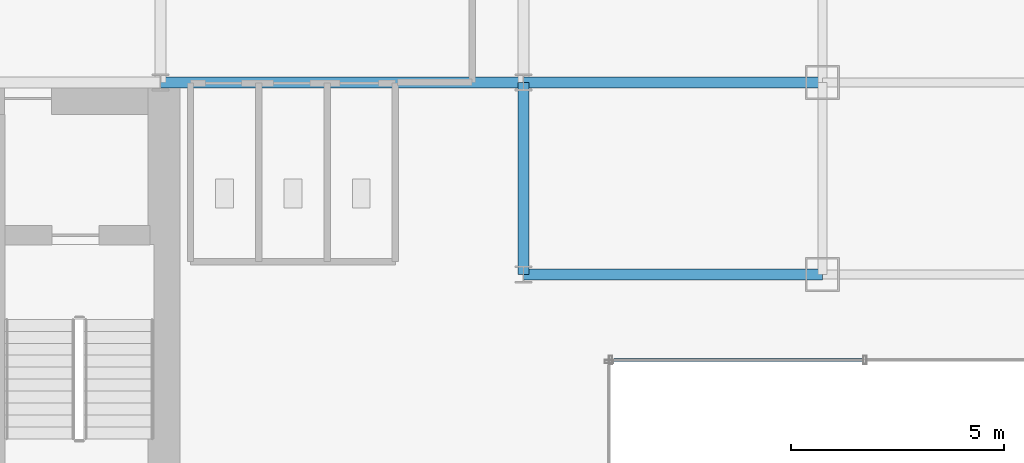
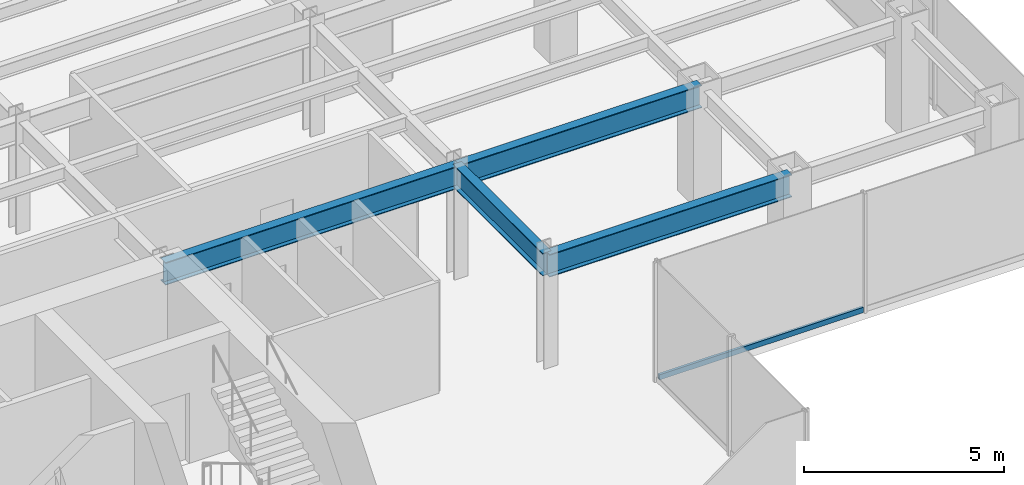
# One storey, part 9 of 26: 4 beams, 1 member, 1 element without a shape of its own.
"""IFC4 building model written with IfcOpenShell, lengths in metres."""

from ifc_helpers import new_model, si_unit, derived_unit, direction, frame, origin, origin_2d, place, context, subcontext, project, spatial, hollow_rectangle, i_section, extrude, source, transform, mapped, material, material_profile, profile_set, type_object, element, aggregate, save


model = new_model("IFC4")

# Units and contexts
model_context = context("Model", 3, precision=1e-05, world=origin(), true_north=direction((0.0, 1.0)))
body_context = subcontext(model_context, "Body", "Model", "MODEL_VIEW")
ifc_project = project(units=[si_unit("LENGTHUNIT", "METRE"), si_unit("AREAUNIT", "SQUARE_METRE"), si_unit("VOLUMEUNIT", "CUBIC_METRE"), si_unit("PLANEANGLEUNIT", "RADIAN"), si_unit("MASSUNIT", "GRAM", prefix="KILO"), derived_unit("THERMALTRANSMITTANCEUNIT", [(si_unit("POWERUNIT", "WATT"), 1), (si_unit("LENGTHUNIT", "METRE"), -2), (si_unit("THERMODYNAMICTEMPERATUREUNIT", "KELVIN"), -1)])], contexts=[model_context])

# Site, building, storey
site_placement = place(None, origin())
site = spatial("IfcSite", under=ifc_project, at=site_placement, CompositionType="ELEMENT")
building_placement = place(site_placement, origin())
building = spatial("IfcBuilding", under=site, at=building_placement, Name="Skarnbrae Concourse Arena and Tower", CompositionType="ELEMENT")
storey_placement = place(building_placement, frame((0.0, 0.0, 95.949951171875)))
storey = spatial("IfcBuildingStorey", under=building, at=storey_placement, Name="L23", CompositionType="ELEMENT", Elevation=95.949951171875)

# Beams
ifc_material_1 = material(Name="Steel CSA G40.21 350W", Category="steel")
ifc_material_profile_1 = material_profile(ifc_material_1, i_section(OverallWidth=0.256103515625, OverallDepth=0.693115234375, WebThickness=0.014404296875, FlangeThickness=0.023681640625, at=origin_2d()), Name="W690X170")
ifc_profile_set_1 = profile_set([ifc_material_profile_1], Name="Steel CSA G40.21 350W")
beam_type = type_object("IfcBeamType", Name="BM-GIRD-W690X170", PredefinedType="BEAM", material=ifc_profile_set_1)
shared_shape_1 = source(origin(), body_context, "Body", "SweptSolid", [
    extrude(i_section(OverallWidth=0.256103515625, OverallDepth=0.693115234375, WebThickness=0.014404296875, FlangeThickness=0.023681640625, at=origin_2d()), origin(), (0.0, 0.0, 1.0), 7.0),
])
for number, where, z_axis, x_axis, name in (
    (1, (42.0, 9.5, 3.053466796875), (1.0, 0.0, 0.0), (0.0, 1.0, 0.0), "L23 Primary E-W girder Y9.5-2"),
    (2, (42.0, 14.0, 3.053466796875), (1.0, 0.0, 0.0), (0.0, 1.0, 0.0), "L23 Primary E-W girder Y14.0-7"),
):
    element("IfcBeam", number, at=place(storey_placement, frame(where, z_axis=z_axis, x_axis=x_axis)), inside=storey, type_object=beam_type, Name=name, PredefinedType="BEAM", context=body_context, shape_type="MappedRepresentation", body=[
        mapped(shared_shape_1, transform((0.0, 0.0, 0.0))),
    ])
shared_shape_2 = source(origin(), body_context, "Body", "SweptSolid", [
    extrude(i_section(OverallWidth=0.256103515625, OverallDepth=0.693115234375, WebThickness=0.014404296875, FlangeThickness=0.023681640625, at=origin_2d()), origin(), (0.0, 0.0, 1.0), 8.5),
])
beam_1_placement = place(storey_placement, frame((33.5, 14.0, 3.053466796875), z_axis=(1.0, 0.0, 0.0), x_axis=(0.0, 1.0, 0.0)))
element("IfcBeam", 3, at=beam_1_placement, inside=storey, type_object=beam_type, Name="L23 Primary E-W girder Y14.0-6", PredefinedType="BEAM", context=body_context, shape_type="MappedRepresentation", body=[
    mapped(shared_shape_2, transform((0.0, 0.0, 0.0))),
])
shared_shape_3 = source(origin(), body_context, "Body", "SweptSolid", [
    extrude(i_section(OverallWidth=0.256103515625, OverallDepth=0.693115234375, WebThickness=0.014404296875, FlangeThickness=0.023681640625, at=origin_2d()), origin(), (0.0, 0.0, 1.0), 4.5),
])
beam_2_placement = place(storey_placement, frame((42.0, 9.5, 3.053466796875), z_axis=(0.0, 1.0, 0.0), x_axis=(-1.0, 0.0, 0.0)))
element("IfcBeam", 4, at=beam_2_placement, inside=storey, type_object=beam_type, Name="L23 Primary N-S girder X42.0-1", PredefinedType="BEAM", context=body_context, shape_type="MappedRepresentation", body=[
    mapped(shared_shape_3, transform((0.0, 0.0, 0.0))),
])

# Curtain wall, member
ifc_material_2 = material(Name="Bronze anodised aluminium 6063-T6", Category="aluminium")
curtain_wall_type = type_object("IfcCurtainWallType", Name="CW-SYS-04-MIDZONE", PredefinedType="USERDEFINED", material=ifc_material_2)
curtain_wall_placement = place(storey_placement, origin())
curtain_wall = element("IfcCurtainWall", 5, at=curtain_wall_placement, inside=storey, type_object=curtain_wall_type, Name="L23 Unitised curtain wall CW-L23-E03", ObjectType="UNITISED CURTAIN WALL", PredefinedType="USERDEFINED")
ifc_material_profile_2 = material_profile(ifc_material_2, hollow_rectangle(XDim=0.074951171875, YDim=0.159912109375, WallThickness=0.00439453125, at=origin_2d()), Name="ALU-TRAN-75X160")
ifc_profile_set_2 = profile_set([ifc_material_profile_2], Name="Bronze anodised aluminium 6063-T6")
member_type = type_object("IfcMemberType", Name="CWT-CW-04", PredefinedType="USERDEFINED", material=ifc_profile_set_2)
shared_shape_4 = source(origin(), body_context, "Body", "SweptSolid", [
    extrude(hollow_rectangle(XDim=0.074951171875, YDim=0.159912109375, WallThickness=0.00439453125, at=origin_2d()), origin(), (0.0, 0.0, 1.0), 5.887451171875),
])
member_placement = place(storey_placement, frame((44.074951171875, 7.5, 0.080078125), z_axis=(1.0, 0.0, 0.0), x_axis=(0.0, 1.0, 0.0)))
member = element("IfcMember", 6, at=member_placement, type_object=member_type, Name="CW-L23-E03 Transom 1", ObjectType="TRANSOM", PredefinedType="USERDEFINED", context=body_context, shape_type="MappedRepresentation", body=[
    mapped(shared_shape_4, transform((0.0, 0.0, 0.0))),
])
aggregate(curtain_wall, [member])

save(model, "model.ifc")
